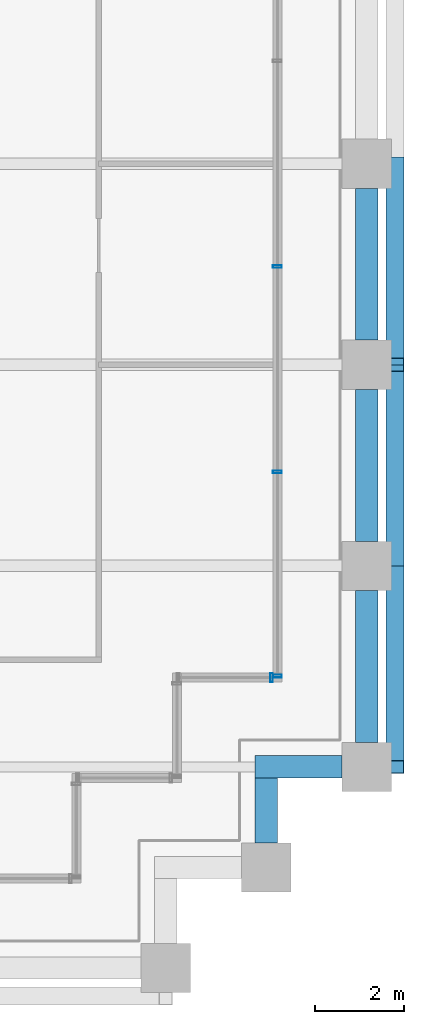
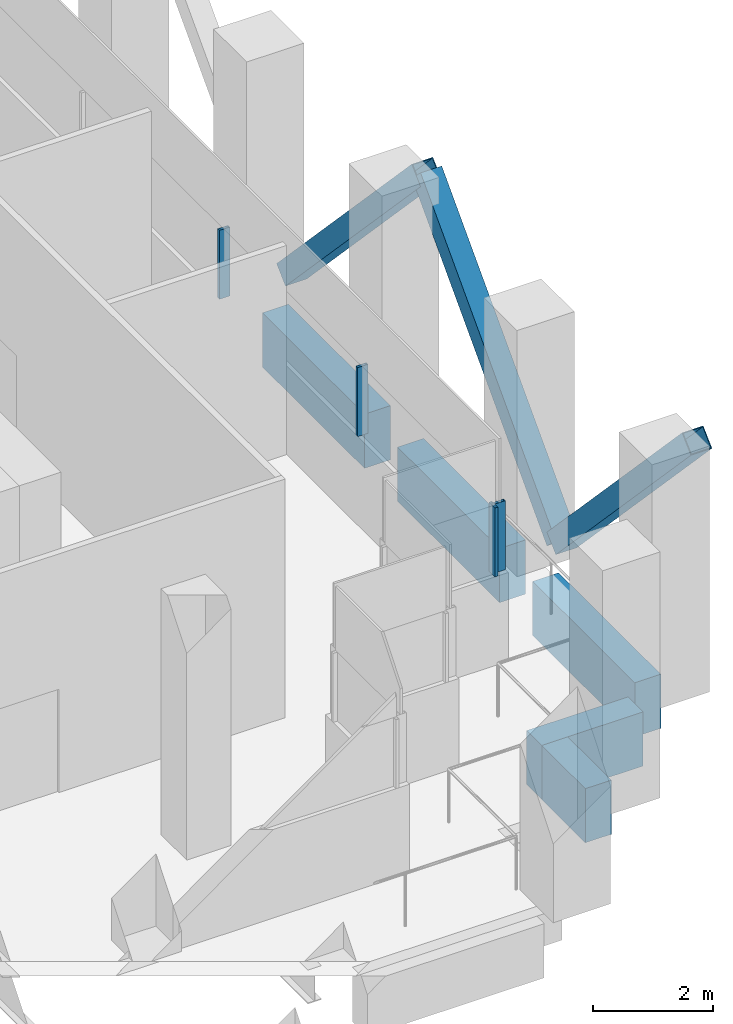
# One storey, part 32 of 44: 7 members, 5 beams, 2 elements without a shape of their own.
"""IFC4 building model written with IfcOpenShell, lengths in metres."""

from ifc_helpers import new_model, si_unit, direction, frame, origin, origin_2d, place, context, subcontext, project, spatial, rectangle, hollow_rectangle, extrude, material, material_profile, profile_set, type_object, element, aggregate, save


model = new_model("IFC4")

# Units and contexts
model_context = context("Model", 3, precision=1e-05, world=origin(), true_north=direction((0.0, 1.0)))
body_context = subcontext(model_context, "Body", "Model", "MODEL_VIEW")
ifc_project = project(units=[si_unit("LENGTHUNIT", "METRE"), si_unit("AREAUNIT", "SQUARE_METRE"), si_unit("VOLUMEUNIT", "CUBIC_METRE"), si_unit("PLANEANGLEUNIT", "RADIAN"), si_unit("MASSUNIT", "GRAM", prefix="KILO")], contexts=[model_context])

# Site, building, storey
site_placement = place(None, origin())
site = spatial("IfcSite", under=ifc_project, at=site_placement, CompositionType="ELEMENT")
building_placement = place(site_placement, origin())
building = spatial("IfcBuilding", under=site, at=building_placement, Name="Altepetl Exchange Towers", CompositionType="ELEMENT")
storey_placement = place(building_placement, frame((0.0, 0.0, 87.0)))
storey = spatial("IfcBuildingStorey", under=building, at=storey_placement, Name="L21 Refuge", CompositionType="ELEMENT", Elevation=87.0)

# Members
ifc_material_1 = material(Name="Steel S355", Category="steel")
ifc_material_profile_1 = material_profile(ifc_material_1, hollow_rectangle(XDim=0.406005859375, YDim=0.406005859375, WallThickness=0.014892578125, at=origin_2d()), Name="HSS406X406X15.9")
ifc_profile_set_1 = profile_set([ifc_material_profile_1], Name="Steel S355")
member_type_1 = type_object("IfcMemberType", Name="Belt diagonal HSS406X406X15.9", PredefinedType="BRACE", material=ifc_profile_set_1)
for number, where, z_axis, x_axis, name in (
    (1, (126.6298828125, 31.5, 4.75), (0.0, 0.687744647911, -0.725952683906), (-1.0, 0.0, 0.0), "brc:B:L21:005"),
    (2, (126.6298828125, 36.0, 0.0), (0.0, 0.687744647911, 0.725952683906), (-1.0, 0.0, 0.0), "brc:B:L21:006"),
    (3, (126.6298828125, 40.5, 4.75), (0.0, 0.687744647911, -0.725952683906), (-1.0, 0.0, 0.0), "brc:B:L21:007"),
):
    element("IfcMember", number, at=place(storey_placement, frame(where, z_axis=z_axis, x_axis=x_axis)), inside=storey, type_object=member_type_1, Name=name, PredefinedType="BRACE", context=body_context, shape_type="SweptSolid", body=[
        extrude(hollow_rectangle(XDim=0.406005859375, YDim=0.406005859375, WallThickness=0.014892578125, at=origin_2d()), origin(), (0.0, 0.0, 1.0), 6.543212890625),
    ])

# Curtain wall, member
ifc_material_2 = material(Name="Aluminium 6063-T6 glazing", Category="aluminium")
curtain_wall_type = type_object("IfcCurtainWallType", Name="Refuge slit glazing system", PredefinedType="NOTDEFINED", material=ifc_material_2)
curtain_wall_1_placement = place(storey_placement, origin())
curtain_wall_1 = element("IfcCurtainWall", 4, at=curtain_wall_1_placement, inside=storey, type_object=curtain_wall_type, Name="CW3 run", PredefinedType="NOTDEFINED")
ifc_material_3 = material(Name="Aluminium 6063-T6", Category="aluminium")
ifc_material_profile_2 = material_profile(ifc_material_3, hollow_rectangle(XDim=0.06005859375, YDim=0.199951171875, WallThickness=0.0029296875, at=origin_2d()), Name="Mullion 60x200 aluminium")
ifc_profile_set_2 = profile_set([ifc_material_profile_2], Name="Aluminium 6063-T6")
member_type_2 = type_object("IfcMemberType", Name="Mullion 60x200 aluminium", PredefinedType="MULLION", material=ifc_profile_set_2)
member_1_placement = place(storey_placement, frame((123.8701171875, 33.5, 1.800048828125)))
member_1 = element("IfcMember", 5, at=member_1_placement, type_object=member_type_2, Name="MU2 mullion", PredefinedType="MULLION", context=body_context, shape_type="SweptSolid", body=[
    extrude(hollow_rectangle(XDim=0.06005859375, YDim=0.199951171875, WallThickness=0.0029296875, at=origin_2d()), origin(), (0.0, 0.0, 1.0), 1.39990234375),
])
aggregate(curtain_wall_1, [member_1])

# Curtain wall, members
curtain_wall_2_placement = place(storey_placement, origin())
curtain_wall_2 = element("IfcCurtainWall", 6, at=curtain_wall_2_placement, inside=storey, type_object=curtain_wall_type, Name="CW3 run", PredefinedType="NOTDEFINED")
member_2_placement = place(storey_placement, frame((124.0, 33.530029296875, 1.800048828125), z_axis=(0.0, 0.0, 1.0), x_axis=(0.0, 1.0, 0.0)))
member_2 = element("IfcMember", 7, at=member_2_placement, type_object=member_type_2, Name="MU2 mullion", PredefinedType="MULLION", context=body_context, shape_type="SweptSolid", body=[
    extrude(hollow_rectangle(XDim=0.06005859375, YDim=0.199951171875, WallThickness=0.0029296875, at=origin_2d()), origin(), (0.0, 0.0, 1.0), 1.39990234375),
])
member_3_placement = place(storey_placement, frame((124.0, 38.10009765625, 1.800048828125), z_axis=(0.0, 0.0, 1.0), x_axis=(0.0, 1.0, 0.0)))
member_3 = element("IfcMember", 8, at=member_3_placement, type_object=member_type_2, Name="MU2 mullion", PredefinedType="MULLION", context=body_context, shape_type="SweptSolid", body=[
    extrude(hollow_rectangle(XDim=0.06005859375, YDim=0.199951171875, WallThickness=0.0029296875, at=origin_2d()), origin(), (0.0, 0.0, 1.0), 1.39990234375),
])
member_4_placement = place(storey_placement, frame((124.0, 42.699951171875, 1.800048828125), z_axis=(0.0, 0.0, 1.0), x_axis=(0.0, 1.0, 0.0)))
member_4 = element("IfcMember", 9, at=member_4_placement, type_object=member_type_2, Name="MU2 mullion", PredefinedType="MULLION", context=body_context, shape_type="SweptSolid", body=[
    extrude(hollow_rectangle(XDim=0.06005859375, YDim=0.199951171875, WallThickness=0.0029296875, at=origin_2d()), origin(), (0.0, 0.0, 1.0), 1.39990234375),
])
aggregate(curtain_wall_2, [member_2, member_3, member_4])

# Beams
ifc_material_4 = material(Name="Concrete C50/60 precast with cantera blanca facing", Category="concrete")
ifc_material_profile_3 = material_profile(ifc_material_4, rectangle(XDim=0.5, YDim=1.10009765625, at=origin_2d()), Name="500 x 1100")
ifc_profile_set_3 = profile_set([ifc_material_profile_3], Name="Concrete C50/60 precast with cantera blanca facing")
beam_type = type_object("IfcBeamType", Name="Spandrel beam 500x1100 cantera blanca", PredefinedType="SPANDREL", material=ifc_profile_set_3)
beam_1_placement = place(storey_placement, frame((123.75, 29.800048828125, -0.75), z_axis=(0.0, 1.0, 0.0), x_axis=(-1.0, 0.0, 0.0)))
element("IfcBeam", 10, at=beam_1_placement, inside=storey, type_object=beam_type, Name="sp:B:L21:007", PredefinedType="SPANDREL", context=body_context, shape_type="SweptSolid", body=[
    extrude(rectangle(XDim=0.5, YDim=1.10009765625, at=origin_2d()), origin(), (0.0, 0.0, 1.0), 1.449951171875),
])
beam_2_placement = place(storey_placement, frame((123.5, 31.5, -0.75), z_axis=(1.0, 0.0, 0.0), x_axis=(0.0, 1.0, 0.0)))
element("IfcBeam", 11, at=beam_2_placement, inside=storey, type_object=beam_type, Name="sp:B:L21:008", PredefinedType="SPANDREL", context=body_context, shape_type="SweptSolid", body=[
    extrude(rectangle(XDim=0.5, YDim=1.10009765625, at=origin_2d()), origin(), (0.0, 0.0, 1.0), 1.949951171875),
])
for number, where, z_axis, x_axis, name in (
    (12, (126.0, 32.050048828125, -0.75), (0.0, 1.0, 0.0), (-1.0, 0.0, 0.0), "sp:B:L21:009"),
    (13, (126.0, 36.550048828125, -0.75), (0.0, 1.0, 0.0), (-1.0, 0.0, 0.0), "sp:B:L21:010"),
    (14, (126.0, 41.050048828125, -0.75), (0.0, 1.0, 0.0), (-1.0, 0.0, 0.0), "sp:B:L21:011"),
):
    element("IfcBeam", number, at=place(storey_placement, frame(where, z_axis=z_axis, x_axis=x_axis)), inside=storey, type_object=beam_type, Name=name, PredefinedType="SPANDREL", context=body_context, shape_type="SweptSolid", body=[
        extrude(rectangle(XDim=0.5, YDim=1.10009765625, at=origin_2d()), origin(), (0.0, 0.0, 1.0), 3.39990234375),
    ])

save(model, "model.ifc")
